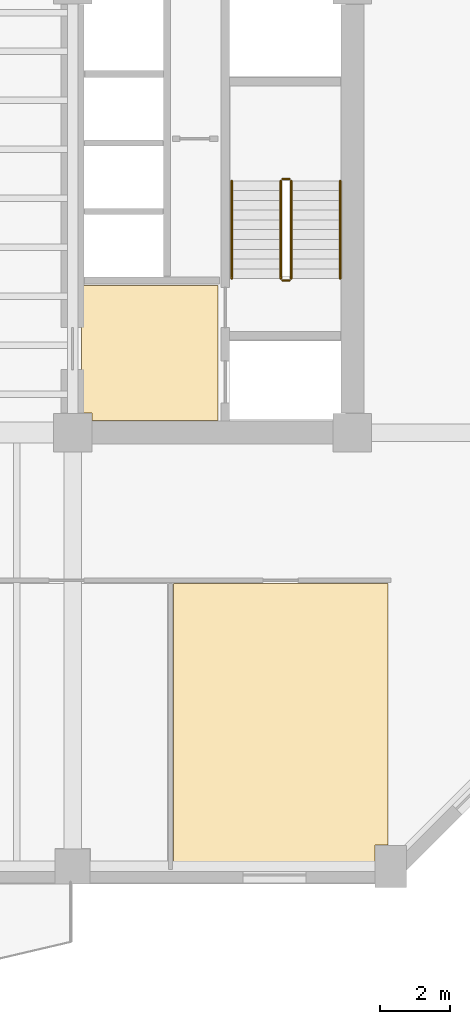
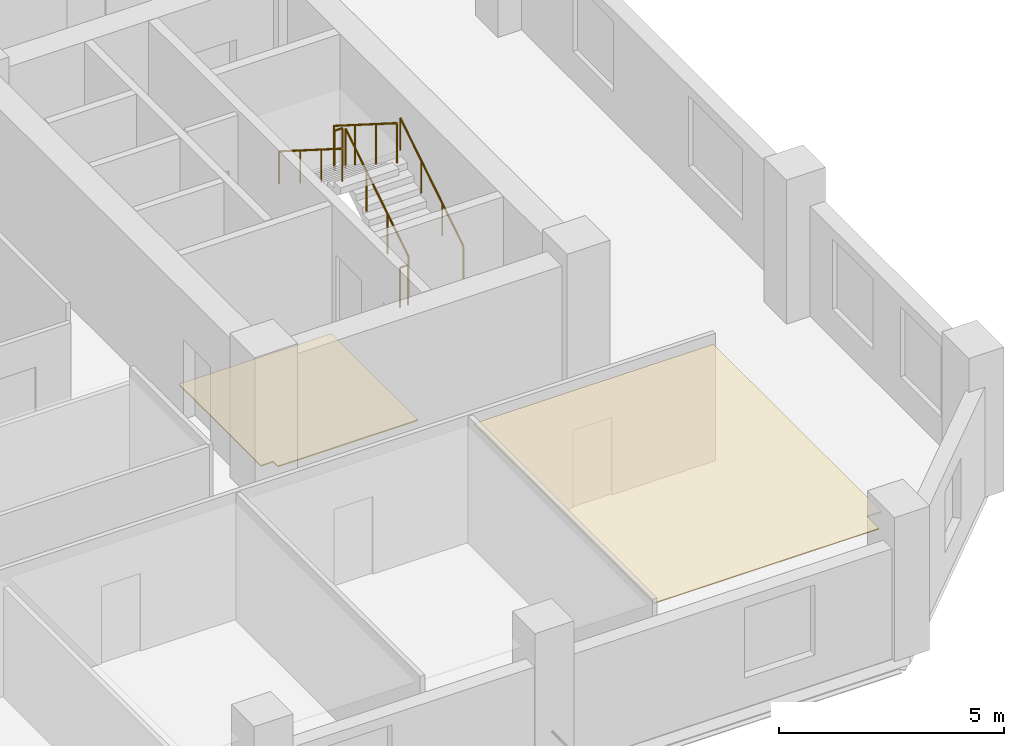
# One storey, part 8 of 10: 6 railings, 2 coverings.
"""IFC4 building model written with IfcOpenShell, lengths in metres."""

from ifc_helpers import new_model, si_unit, direction, frame, origin, origin_2d, place, context, subcontext, project, spatial, polyline, circle, outline, extrude, material, layer, layer_set, type_object, element, save


model = new_model("IFC4")

# Units and contexts
model_context = context("Model", 3, precision=1e-05, world=origin(), true_north=direction((0.0, 1.0)))
body_context = subcontext(model_context, "Body", "Model", "MODEL_VIEW")
ifc_project = project(units=[si_unit("LENGTHUNIT", "METRE"), si_unit("AREAUNIT", "SQUARE_METRE"), si_unit("VOLUMEUNIT", "CUBIC_METRE"), si_unit("PLANEANGLEUNIT", "RADIAN"), si_unit("MASSUNIT", "GRAM", prefix="KILO")], contexts=[model_context])

# Site, building, storey
site_placement = place(None, origin())
site = spatial("IfcSite", under=ifc_project, at=site_placement, CompositionType="ELEMENT")
building_placement = place(site_placement, origin())
building = spatial("IfcBuilding", under=site, at=building_placement, Name="Kranthara Brick Stack", CompositionType="ELEMENT")
storey_placement = place(building_placement, frame((0.0, 0.0, 106.199951171875)))
storey = spatial("IfcBuildingStorey", under=building, at=storey_placement, Name="L26", CompositionType="ELEMENT", Elevation=106.199951171875)

# Coverings
ifc_material_1 = material(Name="Perforated mineral-fibre acoustic ceiling tile", Category="other")
ifc_layer_1 = layer(ifc_material_1, 0.02490234375)
ifc_layer_set_1 = layer_set([ifc_layer_1], Name="Perforated mineral-fibre acoustic ceiling tile")
covering_type_1 = type_object("IfcCoveringType", Name="COV-CEIL-ACOUSTIC", PredefinedType="CEILING", material=ifc_layer_set_1)
covering_1_placement = place(storey_placement, frame((0.0, 0.0, 3.179931640625)))
element("IfcCovering", 1, at=covering_1_placement, inside=storey, type_object=covering_type_1, Name="L26 L26 Staff Pantry 6 Acoustic Ceiling", PredefinedType="CEILING", context=body_context, shape_type="SweptSolid", body=[
    extrude(outline(polyline([(38.080078125, 8.469970703125), (38.080078125, 16.47998046875), (44.219970703125, 16.47998046875), (44.219970703125, 9.010009765625), (43.840087890625, 9.010009765625), (43.840087890625, 8.469970703125), (38.080078125, 8.469970703125)])), origin(), (0.0, 0.0, 1.0), 0.025146484375),
])
ifc_material_2 = material(Name="Honed terrazzo and porcelain floor finish", Category="stone")
ifc_layer_2 = layer(ifc_material_2, 0.030029296875)
ifc_layer_set_2 = layer_set([ifc_layer_2], Name="Honed terrazzo and porcelain floor finish")
covering_type_2 = type_object("IfcCoveringType", Name="COV-FLOR-STONE", PredefinedType="FLOORING", material=ifc_layer_set_2)
covering_2_placement = place(storey_placement, origin())
element("IfcCovering", 2, at=covering_2_placement, inside=storey, type_object=covering_type_2, Name="L26 Lift Lobby Stone Flooring", PredefinedType="FLOORING", context=body_context, shape_type="SweptSolid", body=[
    extrude(outline(polyline([(35.449951171875, 25.0), (39.35009765625, 25.0), (39.35009765625, 21.14990234375), (35.760009765625, 21.14990234375), (35.760009765625, 21.360107421875), (35.449951171875, 21.360107421875), (35.449951171875, 25.0)])), origin(), (0.0, 0.0, 1.0), 0.030029296875),
])

# Railings
ifc_material_3 = material(Name="Painted galvanized steel stair guardrail", Category="steel")
railing_type_1 = type_object("IfcRailingType", Name="RL-STAIR-GUARD-1100", PredefinedType="GUARDRAIL", material=ifc_material_3)
railing_1_placement = place(storey_placement, frame((41.449951171875, 25.199951171875, 0.17724609375)))
element("IfcRailing", 3, at=railing_1_placement, inside=storey, type_object=railing_type_1, Name="L26 ST02 stair guard 1", PredefinedType="GUARDRAIL", context=body_context, shape_type="SweptSolid", body=[
    extrude(circle(Radius=0.02392578125, at=origin_2d()), frame((0.0, 0.0, 1.076171875), z_axis=(0.0, 0.844908973607, 0.534910110503), x_axis=(-1.0, 0.0, 0.0)), (0.0, 0.0, 1.0), 3.31396484375),
    extrude(circle(Radius=0.02099609375, at=origin_2d()), origin(), (0.0, 0.0, 1.0), 1.052001953125),
    extrude(circle(Radius=0.02099609375, at=origin_2d()), frame((0.0, 0.933349609375, 0.5908203125)), (0.0, 0.0, 1.0), 1.052001953125),
    extrude(circle(Radius=0.02099609375, at=origin_2d()), frame((0.0, 1.86669921875, 1.181884765625)), (0.0, 0.0, 1.0), 1.052001953125),
    extrude(circle(Radius=0.02099609375, at=origin_2d()), frame((0.0, 2.800048828125, 1.772705078125)), (0.0, 0.0, 1.0), 1.052001953125),
])
railing_2_placement = place(storey_placement, frame((41.39990234375, 28.050048828125, 1.949951171875)))
element("IfcRailing", 4, at=railing_2_placement, inside=storey, type_object=railing_type_1, Name="L26 ST02 stair guard 2", PredefinedType="GUARDRAIL", context=body_context, shape_type="SweptSolid", body=[
    extrude(circle(Radius=0.02392578125, at=origin_2d()), frame((0.0, 0.0, 1.076171875), z_axis=(-1.0, 0.0, 0.0), x_axis=(0.0, -1.0, 0.0)), (0.0, 0.0, 1.0), 0.199951171875),
    extrude(circle(Radius=0.02099609375, at=origin_2d()), origin(), (0.0, 0.0, 1.0), 1.052001953125),
    extrude(circle(Radius=0.02099609375, at=origin_2d()), frame((-0.199951171875, 0.0, 0.0)), (0.0, 0.0, 1.0), 1.052001953125),
])
railing_3_placement = place(storey_placement, frame((41.14990234375, 28.0, 2.12744140625)))
element("IfcRailing", 5, at=railing_3_placement, inside=storey, type_object=railing_type_1, Name="L26 ST02 stair guard 3", PredefinedType="GUARDRAIL", context=body_context, shape_type="SweptSolid", body=[
    extrude(circle(Radius=0.02392578125, at=origin_2d()), frame((0.0, 0.0, 1.076171875), z_axis=(0.0, -0.844908973607, 0.534910110503), x_axis=(1.0, 0.0, 0.0)), (0.0, 0.0, 1.0), 3.31396484375),
    extrude(circle(Radius=0.02099609375, at=origin_2d()), origin(), (0.0, 0.0, 1.0), 1.052001953125),
    extrude(circle(Radius=0.02099609375, at=origin_2d()), frame((0.0, -0.933349609375, 0.5908203125)), (0.0, 0.0, 1.0), 1.052001953125),
    extrude(circle(Radius=0.02099609375, at=origin_2d()), frame((0.0, -1.86669921875, 1.181884765625)), (0.0, 0.0, 1.0), 1.052001953125),
    extrude(circle(Radius=0.02099609375, at=origin_2d()), frame((0.0, -2.800048828125, 1.772705078125)), (0.0, 0.0, 1.0), 1.052001953125),
])
railing_4_placement = place(storey_placement, frame((41.39990234375, 25.14990234375, 0.0)))
element("IfcRailing", 6, at=railing_4_placement, inside=storey, type_object=railing_type_1, Name="L26 ST02 stair guard 4", PredefinedType="GUARDRAIL", context=body_context, shape_type="SweptSolid", body=[
    extrude(circle(Radius=0.02392578125, at=origin_2d()), frame((0.0, 0.0, 1.076171875), z_axis=(-1.0, 0.0, 0.0), x_axis=(0.0, -1.0, 0.0)), (0.0, 0.0, 1.0), 0.199951171875),
    extrude(circle(Radius=0.02099609375, at=origin_2d()), origin(), (0.0, 0.0, 1.0), 1.052001953125),
    extrude(circle(Radius=0.02099609375, at=origin_2d()), frame((-0.199951171875, 0.0, 0.0)), (0.0, 0.0, 1.0), 1.052001953125),
])
ifc_material_4 = material(Name="Brushed stainless steel tubular handrail", Category="steel")
railing_type_2 = type_object("IfcRailingType", Name="RL-STAIR-HAND-900", PredefinedType="HANDRAIL", material=ifc_material_4)
railing_5_placement = place(storey_placement, frame((42.85009765625, 25.199951171875, 0.17724609375)))
element("IfcRailing", 7, at=railing_5_placement, inside=storey, type_object=railing_type_2, Name="L26 ST02 stair handrail 1", PredefinedType="HANDRAIL", context=body_context, shape_type="SweptSolid", body=[
    extrude(circle(Radius=0.02392578125, at=origin_2d()), frame((0.0, 0.0, 0.8759765625), z_axis=(0.0, 0.844908973607, 0.534910110503), x_axis=(-1.0, 0.0, 0.0)), (0.0, 0.0, 1.0), 3.31396484375),
    extrude(circle(Radius=0.02099609375, at=origin_2d()), origin(), (0.0, 0.0, 1.0), 0.851806640625),
    extrude(circle(Radius=0.02099609375, at=origin_2d()), frame((0.0, 0.933349609375, 0.5908203125)), (0.0, 0.0, 1.0), 0.851806640625),
    extrude(circle(Radius=0.02099609375, at=origin_2d()), frame((0.0, 1.86669921875, 1.181884765625)), (0.0, 0.0, 1.0), 0.851806640625),
    extrude(circle(Radius=0.02099609375, at=origin_2d()), frame((0.0, 2.800048828125, 1.772705078125)), (0.0, 0.0, 1.0), 0.851806640625),
])
railing_6_placement = place(storey_placement, frame((39.75, 28.0, 2.12744140625)))
element("IfcRailing", 8, at=railing_6_placement, inside=storey, type_object=railing_type_2, Name="L26 ST02 stair handrail 2", PredefinedType="HANDRAIL", context=body_context, shape_type="SweptSolid", body=[
    extrude(circle(Radius=0.02392578125, at=origin_2d()), frame((0.0, 0.0, 0.8759765625), z_axis=(0.0, -0.844908973607, 0.534910110503), x_axis=(1.0, 0.0, 0.0)), (0.0, 0.0, 1.0), 3.31396484375),
    extrude(circle(Radius=0.02099609375, at=origin_2d()), origin(), (0.0, 0.0, 1.0), 0.851806640625),
    extrude(circle(Radius=0.02099609375, at=origin_2d()), frame((0.0, -0.933349609375, 0.5908203125)), (0.0, 0.0, 1.0), 0.851806640625),
    extrude(circle(Radius=0.02099609375, at=origin_2d()), frame((0.0, -1.86669921875, 1.181884765625)), (0.0, 0.0, 1.0), 0.851806640625),
    extrude(circle(Radius=0.02099609375, at=origin_2d()), frame((0.0, -2.800048828125, 1.772705078125)), (0.0, 0.0, 1.0), 0.851806640625),
])

save(model, "model.ifc")
